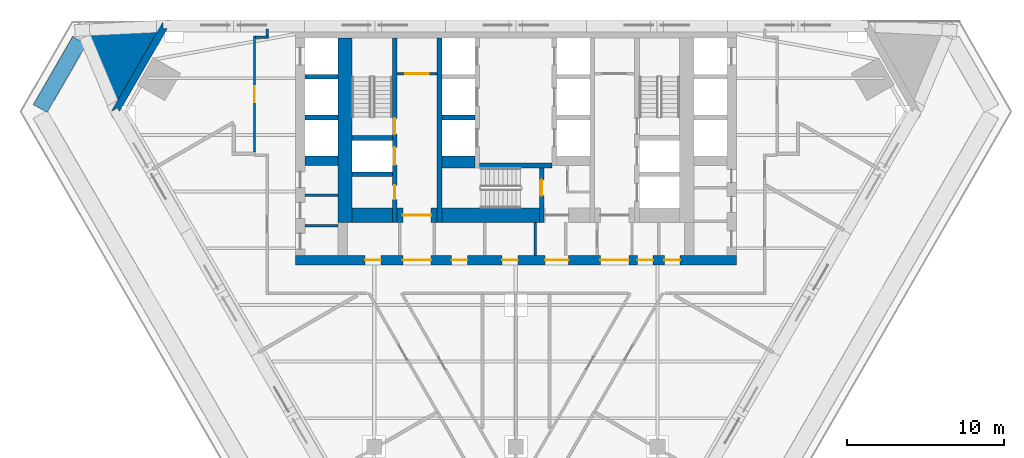
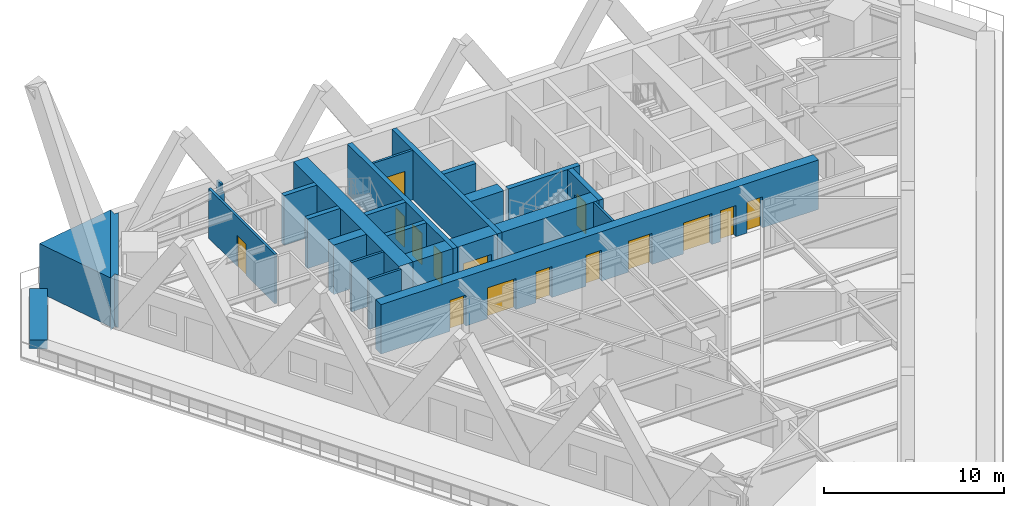
# One storey, part 5 of 11: 26 walls, 15 doors, 15 openings.
"""IFC4 building model written with IfcOpenShell, lengths in metres."""

from ifc_helpers import new_model, si_unit, direction, frame, frame_2d, origin, place, context, subcontext, project, spatial, polyline, rectangle, outline, extrude, material, layer, layer_set, type_object, element, fill, save


model = new_model("IFC4")

# Units and contexts
model_context = context("Model", 3, precision=1e-05, world=origin(), true_north=direction((0.0, 1.0)))
body_context = subcontext(model_context, "Body", "Model", "MODEL_VIEW")
ifc_project = project(units=[si_unit("LENGTHUNIT", "METRE"), si_unit("AREAUNIT", "SQUARE_METRE"), si_unit("VOLUMEUNIT", "CUBIC_METRE"), si_unit("PLANEANGLEUNIT", "RADIAN"), si_unit("MASSUNIT", "GRAM", prefix="KILO")], contexts=[model_context])

# Site, building, storey
site_placement = place(None, origin())
site = spatial("IfcSite", under=ifc_project, at=site_placement, CompositionType="ELEMENT")
building_placement = place(site_placement, origin())
building = spatial("IfcBuilding", under=site, at=building_placement, Name="Aloe Facet Convention Tower", CompositionType="ELEMENT")
storey_placement = place(building_placement, frame((0.0, 0.0, 35.0)))
storey = spatial("IfcBuildingStorey", under=building, at=storey_placement, Name="L06", CompositionType="ELEMENT", Elevation=35.0)

# Walls
ifc_material_1 = material(Name="Concrete blockwork partition", Category="masonry")
ifc_layer_1 = layer(ifc_material_1, 0.14990234375)
ifc_layer_set_1 = layer_set([ifc_layer_1], Name="CR-W-PART150")
wall_type_1 = type_object("IfcWallType", Name="CR-W-PART150", PredefinedType="PARTITIONING", material=ifc_layer_set_1)
for number, where, z_axis, x_axis, name in (
    (1, (66.60009765625, 123.97509765625, 0.0), (0.0, 0.0, 1.0), (1.0, 0.0, 0.0), "Core partition L06-007"),
    (2, (66.60009765625, 122.02490234375, 0.0), (0.0, 0.0, 1.0), (1.0, 0.0, 0.0), "Core partition L06-008"),
):
    element("IfcWall", number, at=place(storey_placement, frame(where, z_axis=z_axis, x_axis=x_axis)), inside=storey, type_object=wall_type_1, Name=name, PredefinedType="PARTITIONING", context=body_context, shape_type="SweptSolid", body=[
        extrude(rectangle(XDim=2.099853515625, YDim=0.14990234375, at=frame_2d((1.0498046875, 0.0))), origin(), (0.0, 0.0, 1.0), 3.35009765625),
    ])

# Wall, opening, door
wall_1_placement = place(storey_placement, frame((72.449951171875, 131.675048828125, 0.0), z_axis=(0.0, 0.0, 1.0), x_axis=(1.0, 0.0, 0.0)))
wall_1 = element("IfcWall", 3, at=wall_1_placement, inside=storey, type_object=wall_type_1, Name="Core partition L06-015", PredefinedType="PARTITIONING", context=body_context, shape_type="SweptSolid", body=[
    extrude(rectangle(XDim=2.550048828125, YDim=0.14990234375, at=frame_2d((1.27490234375, 0.0))), origin(), (0.0, 0.0, 1.0), 3.35009765625),
])
opening_1_placement = place(wall_1_placement, frame((0.52490234375, 0.0, 0.0)))
opening_1 = element("IfcOpeningElement", 4, at=opening_1_placement, cuts=wall_1, Name="Opening L06-CD22", PredefinedType="OPENING", context=body_context, shape_type="SweptSolid", body=[
    extrude(rectangle(XDim=1.5, YDim=2.10009765625, at=frame_2d((0.75, 1.050048828125))), frame((0.0, 0.0849609375, 0.0), z_axis=(0.0, -1.0, 0.0), x_axis=(1.0, 0.0, 0.0)), (0.0, 0.0, 1.0), 0.169921875),
])
ifc_material_2 = material(Name="Steel fire-resisting door set FD60", Category="steel")
door_type_1 = type_object("IfcDoorType", Name="CR-D-REFUGE-1500-FD60-DD", OperationType="DOUBLE_DOOR_DOUBLE_SWING", PredefinedType="DOOR", material=ifc_material_2)
door_1_placement = place(opening_1_placement, origin())
door_1 = element("IfcDoor", 5, at=door_1_placement, inside=storey, type_object=door_type_1, Name="Core door L06-CD22", OperationType="DOUBLE_DOOR_DOUBLE_SWING", OverallHeight=2.10009765625, OverallWidth=1.5, PredefinedType="DOOR", context=body_context, shape_type="SweptSolid", body=[
    extrude(rectangle(XDim=1.5, YDim=2.10009765625, at=frame_2d((0.75, 1.050048828125))), frame((0.0, 0.02490234375, 0.0), z_axis=(0.0, -1.0, 0.0), x_axis=(1.0, 0.0, 0.0)), (0.0, 0.0, 1.0), 0.050048828125),
])
fill(opening_1, door_1)

# Walls
wall_2_placement = place(storey_placement, frame((81.22509765625, 122.25, 0.0), z_axis=(0.0, 0.0, 1.0), x_axis=(0.0, -1.0, 0.0)))
element("IfcWall", 6, at=wall_2_placement, inside=storey, type_object=wall_type_1, Name="Core partition L06-027", PredefinedType="PARTITIONING", context=body_context, shape_type="SweptSolid", body=[
    extrude(rectangle(XDim=2.10009765625, YDim=0.14990234375, at=frame_2d((1.050048828125, 0.0))), origin(), (0.0, 0.0, 1.0), 3.35009765625),
])
ifc_material_3 = material(Name="Concrete C80/95", Category="concrete")
ifc_layer_2 = layer(ifc_material_3, 0.300048828125)
ifc_layer_set_2 = layer_set([ifc_layer_2], Name="CR-W-RC300-C8095")
wall_type_2 = type_object("IfcWallType", Name="CR-W-RC300-C8095", PredefinedType="SOLIDWALL", material=ifc_layer_set_2)
for number, where, z_axis, x_axis, name in (
    (7, (66.60009765625, 131.5, 0.0), (0.0, 0.0, 1.0), (1.0, 0.0, 0.0), "Core wall L06-004"),
    (8, (66.60009765625, 128.89990234375, 0.0), (0.0, 0.0, 1.0), (1.0, 0.0, 0.0), "Core wall L06-005"),
):
    element("IfcWall", number, at=place(storey_placement, frame(where, z_axis=z_axis, x_axis=x_axis)), inside=storey, type_object=wall_type_2, Name=name, PredefinedType="SOLIDWALL", context=body_context, shape_type="SweptSolid", body=[
        extrude(rectangle(XDim=2.099853515625, YDim=0.300048828125, at=frame_2d((1.0498046875, 0.0))), origin(), (0.0, 0.0, 1.0), 3.35009765625),
    ])
for number, where, z_axis, x_axis, name in (
    (9, (69.60009765625, 127.60009765625, 0.0), (0.0, 0.0, 1.0), (1.0, 0.0, 0.0), "Core wall L06-011"),
    (10, (69.60009765625, 125.300048828125, 0.0), (0.0, 0.0, 1.0), (1.0, 0.0, 0.0), "Core wall L06-012"),
):
    element("IfcWall", number, at=place(storey_placement, frame(where, z_axis=z_axis, x_axis=x_axis)), inside=storey, type_object=wall_type_2, Name=name, PredefinedType="SOLIDWALL", context=body_context, shape_type="SweptSolid", body=[
        extrude(rectangle(XDim=2.5498046875, YDim=0.300048828125, at=frame_2d((1.27490234375, 0.0))), origin(), (0.0, 0.0, 1.0), 3.35009765625),
    ])

# Wall, openings, doors
wall_3_placement = place(storey_placement, frame((72.300048828125, 133.949951171875, 0.0), z_axis=(0.0, 0.0, 1.0), x_axis=(0.0, -1.0, 0.0)))
wall_3 = element("IfcWall", 11, at=wall_3_placement, inside=storey, type_object=wall_type_2, Name="Core wall L06-014", PredefinedType="SOLIDWALL", context=body_context, shape_type="SweptSolid", body=[
    extrude(rectangle(XDim=11.699951171875, YDim=0.300048828125, at=frame_2d((5.85009765625, 0.0))), origin(), (0.0, 0.0, 1.0), 3.35009765625),
])
opening_2_placement = place(wall_3_placement, frame((6.949951171875, 0.0, 0.0)))
opening_2 = element("IfcOpeningElement", 12, at=opening_2_placement, cuts=wall_3, Name="Opening LD-FF1-L06", PredefinedType="OPENING", context=body_context, shape_type="SweptSolid", body=[
    extrude(rectangle(XDim=1.10009765625, YDim=2.10009765625, at=frame_2d((0.550048828125, 1.050048828125))), frame((0.0, 0.16015625, 0.0), z_axis=(0.0, -1.0, 0.0), x_axis=(1.0, 0.0, 0.0)), (0.0, 0.0, 1.0), 0.320068359375),
])
opening_3_placement = place(wall_3_placement, frame((9.35009765625, 0.0, 0.0)))
opening_3 = element("IfcOpeningElement", 13, at=opening_3_placement, cuts=wall_3, Name="Opening L06-CD23", PredefinedType="OPENING", context=body_context, shape_type="SweptSolid", body=[
    extrude(rectangle(XDim=0.89990234375, YDim=2.10009765625, at=frame_2d((0.449951171875, 1.050048828125))), frame((0.0, 0.16015625, 0.0), z_axis=(0.0, -1.0, 0.0), x_axis=(1.0, 0.0, 0.0)), (0.0, 0.0, 1.0), 0.320068359375),
])
opening_4_placement = place(wall_3_placement, frame((5.10009765625, 0.0, 0.0)))
opening_4 = element("IfcOpeningElement", 14, at=opening_4_placement, cuts=wall_3, Name="Opening L06-CD30", PredefinedType="OPENING", context=body_context, shape_type="SweptSolid", body=[
    extrude(rectangle(XDim=1.0, YDim=2.10009765625, at=frame_2d((0.5, 1.050048828125))), frame((0.0, 0.16015625, 0.0), z_axis=(0.0, -1.0, 0.0), x_axis=(1.0, 0.0, 0.0)), (0.0, 0.0, 1.0), 0.320068359375),
])
ifc_material_4 = material(Name="Steel fire-resisting door set FD60", Category="steel")
door_type_2 = type_object("IfcDoorType", Name="CR-D-ROOM-900-FD60-SLEFT", OperationType="SINGLE_SWING_LEFT", PredefinedType="DOOR", material=ifc_material_4)
door_2_placement = place(opening_3_placement, origin())
door_2 = element("IfcDoor", 15, at=door_2_placement, inside=storey, type_object=door_type_2, Name="Core door L06-CD23", OperationType="SINGLE_SWING_LEFT", OverallHeight=2.10009765625, OverallWidth=0.89990234375, PredefinedType="DOOR", context=body_context, shape_type="SweptSolid", body=[
    extrude(rectangle(XDim=0.89990234375, YDim=2.10009765625, at=frame_2d((0.449951171875, 1.050048828125))), frame((0.0, 0.02490234375, 0.0), z_axis=(0.0, -1.0, 0.0), x_axis=(1.0, 0.0, 0.0)), (0.0, 0.0, 1.0), 0.050048828125),
])
fill(opening_3, door_2)
ifc_material_5 = material(Name="Steel fire-resisting door set FD120", Category="steel")
door_type_3 = type_object("IfcDoorType", Name="CR-D-STAIR-1000-FD120-SRIGHT", OperationType="SINGLE_SWING_RIGHT", PredefinedType="DOOR", material=ifc_material_5)
door_3_placement = place(opening_4_placement, origin())
door_3 = element("IfcDoor", 16, at=door_3_placement, inside=storey, type_object=door_type_3, Name="Core door L06-CD30", OperationType="SINGLE_SWING_RIGHT", OverallHeight=2.10009765625, OverallWidth=1.0, PredefinedType="DOOR", context=body_context, shape_type="SweptSolid", body=[
    extrude(rectangle(XDim=1.0, YDim=2.10009765625, at=frame_2d((0.5, 1.050048828125))), frame((0.0, 0.02490234375, 0.0), z_axis=(0.0, -1.0, 0.0), x_axis=(1.0, 0.0, 0.0)), (0.0, 0.0, 1.0), 0.050048828125),
])
fill(opening_4, door_3)
ifc_material_6 = material(Name="Stainless steel sliding landing door", Category="steel")
door_type_4 = type_object("IfcDoorType", Name="CR-LD-1100-FD120-_LEFT", OperationType="SLIDING_TO_LEFT", PredefinedType="DOOR", material=ifc_material_6)
door_4_placement = place(opening_2_placement, origin())
door_4 = element("IfcDoor", 17, at=door_4_placement, inside=storey, type_object=door_type_4, Name="Landing door FF1 L06", OperationType="SLIDING_TO_LEFT", OverallHeight=2.10009765625, OverallWidth=1.10009765625, PredefinedType="DOOR", context=body_context, shape_type="SweptSolid", body=[
    extrude(rectangle(XDim=1.10009765625, YDim=2.10009765625, at=frame_2d((0.550048828125, 1.050048828125))), frame((0.0, 0.02490234375, 0.0), z_axis=(0.0, -1.0, 0.0), x_axis=(1.0, 0.0, 0.0)), (0.0, 0.0, 1.0), 0.050048828125),
])
fill(opening_2, door_4)

# Walls
wall_4_placement = place(storey_placement, frame((75.14990234375, 133.949951171875, 0.0), z_axis=(0.0, 0.0, 1.0), x_axis=(0.0, -1.0, 0.0)))
element("IfcWall", 18, at=wall_4_placement, inside=storey, type_object=wall_type_2, Name="Core wall L06-019", PredefinedType="SOLIDWALL", context=body_context, shape_type="SweptSolid", body=[
    extrude(rectangle(XDim=11.699951171875, YDim=0.300048828125, at=frame_2d((5.85009765625, 0.0))), origin(), (0.0, 0.0, 1.0), 3.35009765625),
])
wall_5_placement = place(storey_placement, frame((75.300048828125, 128.89990234375, 0.0), z_axis=(0.0, 0.0, 1.0), x_axis=(1.0, 0.0, 0.0)))
element("IfcWall", 19, at=wall_5_placement, inside=storey, type_object=wall_type_2, Name="Core wall L06-021", PredefinedType="SOLIDWALL", context=body_context, shape_type="SweptSolid", body=[
    extrude(rectangle(XDim=2.099853515625, YDim=0.300048828125, at=frame_2d((1.0498046875, 0.0))), origin(), (0.0, 0.0, 1.0), 3.35009765625),
])
wall_6_placement = place(storey_placement, frame((77.699951171875, 125.85009765625, 0.0), z_axis=(0.0, 0.0, 1.0), x_axis=(1.0, 0.0, 0.0)))
element("IfcWall", 20, at=wall_6_placement, inside=storey, type_object=wall_type_2, Name="Core wall L06-025", PredefinedType="SOLIDWALL", context=body_context, shape_type="SweptSolid", body=[
    extrude(rectangle(XDim=4.60009765625, YDim=0.300048828125, at=frame_2d((2.300048828125, 0.0))), origin(), (0.0, 0.0, 1.0), 3.35009765625),
])

# Wall, opening, door
wall_7_placement = place(storey_placement, frame((81.64990234375, 125.699951171875, 0.0), z_axis=(0.0, 0.0, 1.0), x_axis=(0.0, -1.0, 0.0)))
wall_7 = element("IfcWall", 21, at=wall_7_placement, inside=storey, type_object=wall_type_2, Name="Core wall L06-028", PredefinedType="SOLIDWALL", context=body_context, shape_type="SweptSolid", body=[
    extrude(rectangle(XDim=3.449951171875, YDim=0.300048828125, at=frame_2d((1.72509765625, 0.0))), origin(), (0.0, 0.0, 1.0), 3.35009765625),
])
opening_5_placement = place(wall_7_placement, frame((0.75, 0.0, 0.0)))
opening_5 = element("IfcOpeningElement", 22, at=opening_5_placement, cuts=wall_7, Name="Opening L06-CD32", PredefinedType="OPENING", context=body_context, shape_type="SweptSolid", body=[
    extrude(rectangle(XDim=1.0, YDim=2.10009765625, at=frame_2d((0.5, 1.050048828125))), frame((0.0, 0.16015625, 0.0), z_axis=(0.0, -1.0, 0.0), x_axis=(1.0, 0.0, 0.0)), (0.0, 0.0, 1.0), 0.320068359375),
])
ifc_material_7 = material(Name="Steel fire-resisting door set FD120", Category="steel")
door_type_5 = type_object("IfcDoorType", Name="CR-D-STAIR-1000-FD120-SLEFT", OperationType="SINGLE_SWING_LEFT", PredefinedType="DOOR", material=ifc_material_7)
door_5_placement = place(opening_5_placement, origin())
door_5 = element("IfcDoor", 23, at=door_5_placement, inside=storey, type_object=door_type_5, Name="Core door L06-CD32", OperationType="SINGLE_SWING_LEFT", OverallHeight=2.10009765625, OverallWidth=1.0, PredefinedType="DOOR", context=body_context, shape_type="SweptSolid", body=[
    extrude(rectangle(XDim=1.0, YDim=2.10009765625, at=frame_2d((0.5, 1.050048828125))), frame((0.0, 0.02490234375, 0.0), z_axis=(0.0, -1.0, 0.0), x_axis=(1.0, 0.0, 0.0)), (0.0, 0.0, 1.0), 0.050048828125),
])
fill(opening_5, door_5)

# Wall, openings, doors
ifc_material_8 = material(Name="Concrete C80/95", Category="concrete")
ifc_layer_3 = layer(ifc_material_8, 0.60009765625)
ifc_layer_set_3 = layer_set([ifc_layer_3], Name="CR-W-RC600-C8095")
wall_type_3 = type_object("IfcWallType", Name="CR-W-RC600-C8095", PredefinedType="SOLIDWALL", material=ifc_layer_set_3)
wall_8_placement = place(storey_placement, frame((66.0, 119.85009765625, 0.0), z_axis=(0.0, 0.0, 1.0), x_axis=(1.0, 0.0, 0.0)))
wall_8 = element("IfcWall", 24, at=wall_8_placement, inside=storey, type_object=wall_type_3, Name="Core wall L06-003", PredefinedType="SOLIDWALL", context=body_context, shape_type="SweptSolid", body=[
    extrude(rectangle(XDim=28.0, YDim=0.60009765625, at=frame_2d((14.0, 0.0))), origin(), (0.0, 0.0, 1.0), 3.35009765625),
])
opening_6_placement = place(wall_8_placement, frame((6.824951171875, 0.0, 0.0)))
opening_6 = element("IfcOpeningElement", 25, at=opening_6_placement, cuts=wall_8, Name="Opening L06-CD17", PredefinedType="OPENING", context=body_context, shape_type="SweptSolid", body=[
    extrude(rectangle(XDim=1.800048828125, YDim=2.10009765625, at=frame_2d((0.89990234375, 1.050048828125))), frame((0.0, 0.31005859375, 0.0), z_axis=(0.0, -1.0, 0.0), x_axis=(1.0, 0.0, 0.0)), (0.0, 0.0, 1.0), 0.6201171875),
])
opening_7_placement = place(wall_8_placement, frame((15.85009765625, 0.0, 0.0)))
opening_7 = element("IfcOpeningElement", 26, at=opening_7_placement, cuts=wall_8, Name="Opening L06-CD18", PredefinedType="OPENING", context=body_context, shape_type="SweptSolid", body=[
    extrude(rectangle(XDim=1.5, YDim=2.10009765625, at=frame_2d((0.75, 1.050048828125))), frame((0.0, 0.31005859375, 0.0), z_axis=(0.0, -1.0, 0.0), x_axis=(1.0, 0.0, 0.0)), (0.0, 0.0, 1.0), 0.6201171875),
])
opening_8_placement = place(wall_8_placement, frame((19.375, 0.0, 0.0)))
opening_8 = element("IfcOpeningElement", 27, at=opening_8_placement, cuts=wall_8, Name="Opening L06-CD19", PredefinedType="OPENING", context=body_context, shape_type="SweptSolid", body=[
    extrude(rectangle(XDim=1.800048828125, YDim=2.10009765625, at=frame_2d((0.89990234375, 1.050048828125))), frame((0.0, 0.31005859375, 0.0), z_axis=(0.0, -1.0, 0.0), x_axis=(1.0, 0.0, 0.0)), (0.0, 0.0, 1.0), 0.6201171875),
])
opening_9_placement = place(wall_8_placement, frame((4.425048828125, 0.0, 0.0)))
opening_9 = element("IfcOpeningElement", 28, at=opening_9_placement, cuts=wall_8, Name="Opening L06-CD24", PredefinedType="OPENING", context=body_context, shape_type="SweptSolid", body=[
    extrude(rectangle(XDim=1.0, YDim=2.10009765625, at=frame_2d((0.5, 1.050048828125))), frame((0.0, 0.31005859375, 0.0), z_axis=(0.0, -1.0, 0.0), x_axis=(1.0, 0.0, 0.0)), (0.0, 0.0, 1.0), 0.6201171875),
])
opening_10_placement = place(wall_8_placement, frame((9.925048828125, 0.0, 0.0)))
opening_10 = element("IfcOpeningElement", 29, at=opening_10_placement, cuts=wall_8, Name="Opening L06-CD25", PredefinedType="OPENING", context=body_context, shape_type="SweptSolid", body=[
    extrude(rectangle(XDim=1.0, YDim=2.10009765625, at=frame_2d((0.5, 1.050048828125))), frame((0.0, 0.31005859375, 0.0), z_axis=(0.0, -1.0, 0.0), x_axis=(1.0, 0.0, 0.0)), (0.0, 0.0, 1.0), 0.6201171875),
])
opening_11_placement = place(wall_8_placement, frame((13.125, 0.0, 0.0)))
opening_11 = element("IfcOpeningElement", 30, at=opening_11_placement, cuts=wall_8, Name="Opening L06-CD26", PredefinedType="OPENING", context=body_context, shape_type="SweptSolid", body=[
    extrude(rectangle(XDim=1.0, YDim=2.10009765625, at=frame_2d((0.5, 1.050048828125))), frame((0.0, 0.31005859375, 0.0), z_axis=(0.0, -1.0, 0.0), x_axis=(1.0, 0.0, 0.0)), (0.0, 0.0, 1.0), 0.6201171875),
])
opening_12_placement = place(wall_8_placement, frame((21.72509765625, 0.0, 0.0)))
opening_12 = element("IfcOpeningElement", 31, at=opening_12_placement, cuts=wall_8, Name="Opening L06-CD28", PredefinedType="OPENING", context=body_context, shape_type="SweptSolid", body=[
    extrude(rectangle(XDim=1.0, YDim=2.10009765625, at=frame_2d((0.5, 1.050048828125))), frame((0.0, 0.31005859375, 0.0), z_axis=(0.0, -1.0, 0.0), x_axis=(1.0, 0.0, 0.0)), (0.0, 0.0, 1.0), 0.6201171875),
])
opening_13_placement = place(wall_8_placement, frame((23.425048828125, 0.0, 0.0)))
opening_13 = element("IfcOpeningElement", 32, at=opening_13_placement, cuts=wall_8, Name="Opening L06-CD29", PredefinedType="OPENING", context=body_context, shape_type="SweptSolid", body=[
    extrude(rectangle(XDim=1.0, YDim=2.10009765625, at=frame_2d((0.5, 1.050048828125))), frame((0.0, 0.31005859375, 0.0), z_axis=(0.0, -1.0, 0.0), x_axis=(1.0, 0.0, 0.0)), (0.0, 0.0, 1.0), 0.6201171875),
])
ifc_material_9 = material(Name="Steel fire-resisting door set FD60", Category="steel")
door_type_6 = type_object("IfcDoorType", Name="CR-D-EXIT-1500-FD60-DD", OperationType="DOUBLE_DOOR_DOUBLE_SWING", PredefinedType="DOOR", material=ifc_material_9)
door_6_placement = place(opening_7_placement, origin())
door_6 = element("IfcDoor", 33, at=door_6_placement, inside=storey, type_object=door_type_6, Name="Core door L06-CD18", OperationType="DOUBLE_DOOR_DOUBLE_SWING", OverallHeight=2.10009765625, OverallWidth=1.5, PredefinedType="DOOR", context=body_context, shape_type="SweptSolid", body=[
    extrude(rectangle(XDim=1.5, YDim=2.10009765625, at=frame_2d((0.75, 1.050048828125))), frame((0.0, 0.02490234375, 0.0), z_axis=(0.0, -1.0, 0.0), x_axis=(1.0, 0.0, 0.0)), (0.0, 0.0, 1.0), 0.050048828125),
])
fill(opening_7, door_6)
ifc_material_10 = material(Name="Steel fire-resisting door set FD60", Category="steel")
door_type_7 = type_object("IfcDoorType", Name="CR-D-EXIT-1800-FD60-DD", OperationType="DOUBLE_DOOR_DOUBLE_SWING", PredefinedType="DOOR", material=ifc_material_10)
door_7_placement = place(opening_6_placement, origin())
door_7 = element("IfcDoor", 34, at=door_7_placement, inside=storey, type_object=door_type_7, Name="Core door L06-CD17", OperationType="DOUBLE_DOOR_DOUBLE_SWING", OverallHeight=2.10009765625, OverallWidth=1.800048828125, PredefinedType="DOOR", context=body_context, shape_type="SweptSolid", body=[
    extrude(rectangle(XDim=1.800048828125, YDim=2.10009765625, at=frame_2d((0.89990234375, 1.050048828125))), frame((0.0, 0.02490234375, 0.0), z_axis=(0.0, -1.0, 0.0), x_axis=(1.0, 0.0, 0.0)), (0.0, 0.0, 1.0), 0.050048828125),
])
fill(opening_6, door_7)
door_8_placement = place(opening_8_placement, origin())
door_8 = element("IfcDoor", 35, at=door_8_placement, inside=storey, type_object=door_type_7, Name="Core door L06-CD19", OperationType="DOUBLE_DOOR_DOUBLE_SWING", OverallHeight=2.10009765625, OverallWidth=1.800048828125, PredefinedType="DOOR", context=body_context, shape_type="SweptSolid", body=[
    extrude(rectangle(XDim=1.800048828125, YDim=2.10009765625, at=frame_2d((0.89990234375, 1.050048828125))), frame((0.0, 0.02490234375, 0.0), z_axis=(0.0, -1.0, 0.0), x_axis=(1.0, 0.0, 0.0)), (0.0, 0.0, 1.0), 0.050048828125),
])
fill(opening_8, door_8)
ifc_material_11 = material(Name="Steel fire-resisting door set FD60", Category="steel")
door_type_8 = type_object("IfcDoorType", Name="CR-D-ROOM-1000-FD60-SRIGHT", OperationType="SINGLE_SWING_RIGHT", PredefinedType="DOOR", material=ifc_material_11)
door_9_placement = place(opening_9_placement, origin())
door_9 = element("IfcDoor", 36, at=door_9_placement, inside=storey, type_object=door_type_8, Name="Core door L06-CD24", OperationType="SINGLE_SWING_RIGHT", OverallHeight=2.10009765625, OverallWidth=1.0, PredefinedType="DOOR", context=body_context, shape_type="SweptSolid", body=[
    extrude(rectangle(XDim=1.0, YDim=2.10009765625, at=frame_2d((0.5, 1.050048828125))), frame((0.0, 0.02490234375, 0.0), z_axis=(0.0, -1.0, 0.0), x_axis=(1.0, 0.0, 0.0)), (0.0, 0.0, 1.0), 0.050048828125),
])
fill(opening_9, door_9)
door_10_placement = place(opening_10_placement, origin())
door_10 = element("IfcDoor", 37, at=door_10_placement, inside=storey, type_object=door_type_8, Name="Core door L06-CD25", OperationType="SINGLE_SWING_RIGHT", OverallHeight=2.10009765625, OverallWidth=1.0, PredefinedType="DOOR", context=body_context, shape_type="SweptSolid", body=[
    extrude(rectangle(XDim=1.0, YDim=2.10009765625, at=frame_2d((0.5, 1.050048828125))), frame((0.0, 0.02490234375, 0.0), z_axis=(0.0, -1.0, 0.0), x_axis=(1.0, 0.0, 0.0)), (0.0, 0.0, 1.0), 0.050048828125),
])
fill(opening_10, door_10)
door_11_placement = place(opening_11_placement, origin())
door_11 = element("IfcDoor", 38, at=door_11_placement, inside=storey, type_object=door_type_8, Name="Core door L06-CD26", OperationType="SINGLE_SWING_RIGHT", OverallHeight=2.10009765625, OverallWidth=1.0, PredefinedType="DOOR", context=body_context, shape_type="SweptSolid", body=[
    extrude(rectangle(XDim=1.0, YDim=2.10009765625, at=frame_2d((0.5, 1.050048828125))), frame((0.0, 0.02490234375, 0.0), z_axis=(0.0, -1.0, 0.0), x_axis=(1.0, 0.0, 0.0)), (0.0, 0.0, 1.0), 0.050048828125),
])
fill(opening_11, door_11)
door_12_placement = place(opening_12_placement, origin())
door_12 = element("IfcDoor", 39, at=door_12_placement, inside=storey, type_object=door_type_8, Name="Core door L06-CD28", OperationType="SINGLE_SWING_RIGHT", OverallHeight=2.10009765625, OverallWidth=1.0, PredefinedType="DOOR", context=body_context, shape_type="SweptSolid", body=[
    extrude(rectangle(XDim=1.0, YDim=2.10009765625, at=frame_2d((0.5, 1.050048828125))), frame((0.0, 0.02490234375, 0.0), z_axis=(0.0, -1.0, 0.0), x_axis=(1.0, 0.0, 0.0)), (0.0, 0.0, 1.0), 0.050048828125),
])
fill(opening_12, door_12)
door_13_placement = place(opening_13_placement, origin())
door_13 = element("IfcDoor", 40, at=door_13_placement, inside=storey, type_object=door_type_8, Name="Core door L06-CD29", OperationType="SINGLE_SWING_RIGHT", OverallHeight=2.10009765625, OverallWidth=1.0, PredefinedType="DOOR", context=body_context, shape_type="SweptSolid", body=[
    extrude(rectangle(XDim=1.0, YDim=2.10009765625, at=frame_2d((0.5, 1.050048828125))), frame((0.0, 0.02490234375, 0.0), z_axis=(0.0, -1.0, 0.0), x_axis=(1.0, 0.0, 0.0)), (0.0, 0.0, 1.0), 0.050048828125),
])
fill(opening_13, door_13)

# Walls
wall_9_placement = place(storey_placement, frame((66.60009765625, 126.14990234375, 0.0), z_axis=(0.0, 0.0, 1.0), x_axis=(1.0, 0.0, 0.0)))
element("IfcWall", 41, at=wall_9_placement, inside=storey, type_object=wall_type_3, Name="Core wall L06-006", PredefinedType="SOLIDWALL", context=body_context, shape_type="SweptSolid", body=[
    extrude(rectangle(XDim=2.099853515625, YDim=0.60009765625, at=frame_2d((1.0498046875, 0.0))), origin(), (0.0, 0.0, 1.0), 3.35009765625),
])
ifc_material_12 = material(Name="Concrete C80/95", Category="concrete")
ifc_layer_4 = layer(ifc_material_12, 0.75)
ifc_layer_set_4 = layer_set([ifc_layer_4], Name="CR-W-RC750-C8095")
wall_type_4 = type_object("IfcWallType", Name="CR-W-RC750-C8095", PredefinedType="SOLIDWALL", material=ifc_layer_set_4)
wall_10_placement = place(storey_placement, frame((75.300048828125, 126.074951171875, 0.0), z_axis=(0.0, 0.0, 1.0), x_axis=(1.0, 0.0, 0.0)))
element("IfcWall", 42, at=wall_10_placement, inside=storey, type_object=wall_type_4, Name="Core wall L06-022", PredefinedType="SOLIDWALL", context=body_context, shape_type="SweptSolid", body=[
    extrude(rectangle(XDim=2.099853515625, YDim=0.75, at=frame_2d((1.0498046875, 0.0))), origin(), (0.0, 0.0, 1.0), 3.35009765625),
])
ifc_material_13 = material(Name="Concrete C80/95", Category="concrete")
ifc_layer_5 = layer(ifc_material_13, 0.89990234375)
ifc_layer_set_5 = layer_set([ifc_layer_5], Name="CR-W-RC900-C8095")
wall_type_5 = type_object("IfcWallType", Name="CR-W-RC900-C8095", PredefinedType="SOLIDWALL", material=ifc_layer_set_5)
wall_11_placement = place(storey_placement, frame((69.14990234375, 133.949951171875, 0.0), z_axis=(0.0, 0.0, 1.0), x_axis=(0.0, -1.0, 0.0)))
element("IfcWall", 43, at=wall_11_placement, inside=storey, type_object=wall_type_5, Name="Core wall L06-009", PredefinedType="SOLIDWALL", context=body_context, shape_type="SweptSolid", body=[
    extrude(rectangle(XDim=11.699951171875, YDim=0.89990234375, at=frame_2d((5.85009765625, 0.0))), origin(), (0.0, 0.0, 1.0), 3.35009765625),
])
wall_12_placement = place(storey_placement, frame((69.60009765625, 122.699951171875, 0.0), z_axis=(0.0, 0.0, 1.0), x_axis=(1.0, 0.0, 0.0)))
element("IfcWall", 44, at=wall_12_placement, inside=storey, type_object=wall_type_5, Name="Core wall L06-013", PredefinedType="SOLIDWALL", context=body_context, shape_type="SweptSolid", body=[
    extrude(rectangle(XDim=2.5498046875, YDim=0.89990234375, at=frame_2d((1.27490234375, 0.0))), origin(), (0.0, 0.0, 1.0), 3.35009765625),
])

# Wall, opening, door
wall_13_placement = place(storey_placement, frame((72.449951171875, 122.699951171875, 0.0), z_axis=(0.0, 0.0, 1.0), x_axis=(1.0, 0.0, 0.0)))
wall_13 = element("IfcWall", 45, at=wall_13_placement, inside=storey, type_object=wall_type_5, Name="Core wall L06-016", PredefinedType="SOLIDWALL", context=body_context, shape_type="SweptSolid", body=[
    extrude(rectangle(XDim=2.550048828125, YDim=0.89990234375, at=frame_2d((1.27490234375, 0.0))), origin(), (0.0, 0.0, 1.0), 3.35009765625),
])
opening_14_placement = place(wall_13_placement, frame((0.375, 0.0, 0.0)))
opening_14 = element("IfcOpeningElement", 46, at=opening_14_placement, cuts=wall_13, Name="Opening L06-CD15", PredefinedType="OPENING", context=body_context, shape_type="SweptSolid", body=[
    extrude(rectangle(XDim=1.800048828125, YDim=2.10009765625, at=frame_2d((0.89990234375, 1.050048828125))), frame((0.0, 0.4599609375, 0.0), z_axis=(0.0, -1.0, 0.0), x_axis=(1.0, 0.0, 0.0)), (0.0, 0.0, 1.0), 0.919921875),
])
ifc_material_14 = material(Name="Steel fire-resisting door set FD120", Category="steel")
door_type_9 = type_object("IfcDoorType", Name="CR-D-EXIT-1800-FD120-DD", OperationType="DOUBLE_DOOR_DOUBLE_SWING", PredefinedType="DOOR", material=ifc_material_14)
door_14_placement = place(opening_14_placement, origin())
door_14 = element("IfcDoor", 47, at=door_14_placement, inside=storey, type_object=door_type_9, Name="Core door L06-CD15", OperationType="DOUBLE_DOOR_DOUBLE_SWING", OverallHeight=2.10009765625, OverallWidth=1.800048828125, PredefinedType="DOOR", context=body_context, shape_type="SweptSolid", body=[
    extrude(rectangle(XDim=1.800048828125, YDim=2.10009765625, at=frame_2d((0.89990234375, 1.050048828125))), frame((0.0, 0.02490234375, 0.0), z_axis=(0.0, -1.0, 0.0), x_axis=(1.0, 0.0, 0.0)), (0.0, 0.0, 1.0), 0.050048828125),
])
fill(opening_14, door_14)

# Walls
wall_14_placement = place(storey_placement, frame((75.300048828125, 122.699951171875, 0.0), z_axis=(0.0, 0.0, 1.0), x_axis=(1.0, 0.0, 0.0)))
element("IfcWall", 48, at=wall_14_placement, inside=storey, type_object=wall_type_5, Name="Core wall L06-023", PredefinedType="SOLIDWALL", context=body_context, shape_type="SweptSolid", body=[
    extrude(rectangle(XDim=6.199951171875, YDim=0.89990234375, at=frame_2d((3.10009765625, 0.0))), origin(), (0.0, 0.0, 1.0), 3.35009765625),
])
ifc_material_15 = material(Name="Precast concrete C40/50", Category="concrete")
ifc_layer_6 = layer(ifc_material_15, 1.0)
ifc_layer_set_6 = layer_set([ifc_layer_6], Name="EV-PLANTER-BED")
wall_type_6 = type_object("IfcWallType", Name="EV-PLANTER-BED", PredefinedType="STANDARD", material=ifc_layer_set_6)
wall_15_placement = place(storey_placement, frame((49.79248046875, 129.47705078125, 0.0), z_axis=(0.0, 0.0, 1.0), x_axis=(0.500004234368, 0.866022959057, 0.0)))
element("IfcWall", 49, at=wall_15_placement, inside=storey, type_object=wall_type_6, Name="PLANTER PT-L06-1-5", PredefinedType="STANDARD", context=body_context, shape_type="SweptSolid", body=[
    extrude(rectangle(XDim=5.0, YDim=1.0, at=frame_2d((2.5, 0.0))), origin(), (0.0, 0.0, 1.0), 0.60009765625),
])
ifc_material_16 = material(Name="Precast concrete C40/50", Category="concrete")
ifc_layer_7 = layer(ifc_material_16, 0.449951171875)
ifc_layer_set_7 = layer_set([ifc_layer_7], Name="EV-WALL-PIER")
wall_type_7 = type_object("IfcWallType", Name="EV-WALL-PIER", PredefinedType="SOLIDWALL", material=ifc_layer_set_7)
wall_16_placement = place(storey_placement, frame((0.0, 0.0, -0.199951171875)))
element("IfcWall", 50, at=wall_16_placement, inside=storey, type_object=wall_type_7, Name="EP-L06-A", PredefinedType="SOLIDWALL", context=body_context, shape_type="SweptSolid", body=[
    extrude(outline(polyline([(57.60009765625, 135.0), (57.60009765625, 134.550048828125), (57.85986328125, 134.550048828125), (54.819580078125, 129.2841796875), (54.689697265625, 129.50927734375), (54.300048828125, 129.2841796875), (57.60009765625, 135.0)])), origin(), (0.0, 0.0, 1.0), 3.550048828125),
])
ifc_material_17 = material(Name="Precast concrete C40/50", Category="concrete")
ifc_layer_8 = layer(ifc_material_17, 3.947998046875)
ifc_layer_set_8 = layer_set([ifc_layer_8], Name="EV-WALL-SPINE")
wall_type_8 = type_object("IfcWallType", Name="EV-WALL-SPINE", PredefinedType="SOLIDWALL", material=ifc_layer_set_8)
wall_17_placement = place(storey_placement, frame((0.0, 0.0, 0.0400390625)))
element("IfcWall", 51, at=wall_17_placement, inside=storey, type_object=wall_type_8, Name="SP-NW-L06", PredefinedType="SOLIDWALL", context=body_context, shape_type="SweptSolid", body=[
    extrude(outline(polyline([(57.60009765625, 135.0), (52.545166015625, 134.141357421875), (54.300048828125, 129.2841796875), (57.60009765625, 135.0)])), origin(), (0.0, 0.0, 1.0), 3.31005859375),
])

# Wall, opening, door
ifc_material_18 = material(Name="Gypsum board partition on steel studs", Category="steel")
ifc_layer_9 = layer(ifc_material_18, 0.14990234375)
ifc_layer_set_9 = layer_set([ifc_layer_9], Name="IN-W-CORR")
wall_type_9 = type_object("IfcWallType", Name="IN-W-CORR", PredefinedType="PARTITIONING", material=ifc_layer_set_9)
wall_18_placement = place(storey_placement, frame((63.39990234375, 126.699951171875, 0.0), z_axis=(0.0, 0.0, 1.0), x_axis=(0.0, 1.0, 0.0)))
wall_18 = element("IfcWall", 52, at=wall_18_placement, inside=storey, type_object=wall_type_9, Name="Partition L06-W035", PredefinedType="PARTITIONING", context=body_context, shape_type="SweptSolid", body=[
    extrude(rectangle(XDim=7.37451171875, YDim=0.14990234375, at=frame_2d((3.687255859375, 0.0))), origin(), (0.0, 0.0, 1.0), 3.35009765625),
])
opening_15_placement = place(wall_18_placement, frame((3.187255859375, 0.0, 0.0)))
opening_15 = element("IfcOpeningElement", 53, at=opening_15_placement, cuts=wall_18, Name="Opening L06-002", PredefinedType="OPENING", context=body_context, shape_type="SweptSolid", body=[
    extrude(rectangle(XDim=1.0, YDim=2.10009765625, at=frame_2d((0.5, 1.050048828125))), frame((0.0, 0.0849609375, 0.0), z_axis=(0.0, -1.0, 0.0), x_axis=(1.0, 0.0, 0.0)), (0.0, 0.0, 1.0), 0.169921875),
])
ifc_material_19 = material(Name="Hardwood flush door FD30S", Category="wood")
door_type_10 = type_object("IfcDoorType", Name="IN-D-WIDE", OperationType="SINGLE_SWING_LEFT", PredefinedType="DOOR", material=ifc_material_19)
door_15_placement = place(opening_15_placement, origin())
door_15 = element("IfcDoor", 54, at=door_15_placement, inside=storey, type_object=door_type_10, Name="Door L06-002", OperationType="SINGLE_SWING_LEFT", OverallHeight=2.10009765625, OverallWidth=1.0, PredefinedType="DOOR", context=body_context, shape_type="SweptSolid", body=[
    extrude(rectangle(XDim=1.0, YDim=2.10009765625, at=frame_2d((0.5, 1.050048828125))), frame((0.0, 0.02490234375, 0.0), z_axis=(0.0, -1.0, 0.0), x_axis=(1.0, 0.0, 0.0)), (0.0, 0.0, 1.0), 0.050048828125),
])
fill(opening_15, door_15)

# Walls
wall_19_placement = place(storey_placement, frame((63.47509765625, 133.99951171875, 0.0), z_axis=(0.0, 0.0, 1.0), x_axis=(0.999999813645, 0.000610500497, 0.0)))
element("IfcWall", 55, at=wall_19_placement, inside=storey, type_object=wall_type_9, Name="Partition L06-W041", PredefinedType="PARTITIONING", context=body_context, shape_type="SweptSolid", body=[
    extrude(rectangle(XDim=0.7998046875, YDim=0.14990234375, at=frame_2d((0.39990234375, 0.0))), origin(), (0.0, 0.0, 1.0), 2.88671875),
])
wall_20_placement = place(storey_placement, frame((64.199951171875, 134.074951171875, 0.0), z_axis=(0.0, 0.0, 1.0), x_axis=(0.0, 1.0, 0.0)))
element("IfcWall", 56, at=wall_20_placement, inside=storey, type_object=wall_type_9, Name="Partition L06-W042", PredefinedType="PARTITIONING", context=body_context, shape_type="SweptSolid", body=[
    extrude(rectangle(XDim=0.465087890625, YDim=0.14990234375, at=frame_2d((0.232421875, 0.0))), origin(), (0.0, 0.0, 1.0), 3.35009765625),
])

save(model, "model.ifc")
